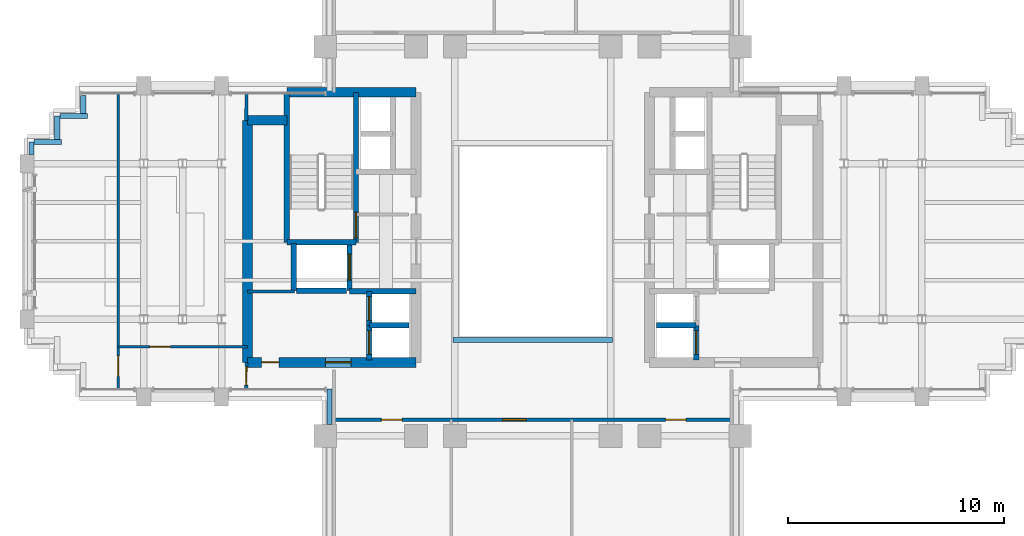
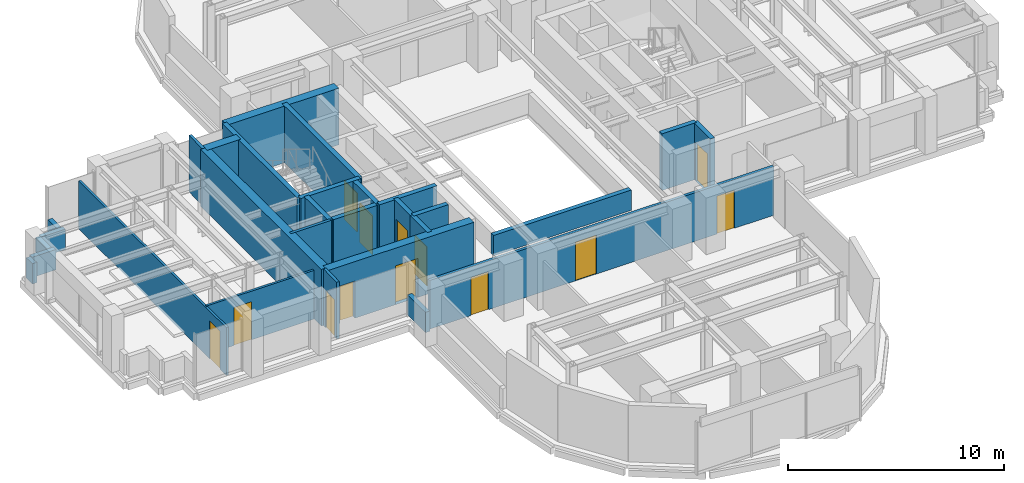
# One storey, part 8 of 13: 29 walls, 13 doors, 13 openings.
"""IFC4 building model written with IfcOpenShell, lengths in metres."""

from ifc_helpers import new_model, si_unit, direction, frame, frame_2d, origin, place, context, subcontext, project, spatial, rectangle, extrude, source, transform, mapped, material, layer, layer_set, type_object, element, fill, save


model = new_model("IFC4")

# Units and contexts
model_context = context("Model", 3, precision=1e-05, world=origin(), true_north=direction((0.0, 1.0)))
body_context = subcontext(model_context, "Body", "Model", "MODEL_VIEW")
ifc_project = project(units=[si_unit("LENGTHUNIT", "METRE"), si_unit("AREAUNIT", "SQUARE_METRE"), si_unit("VOLUMEUNIT", "CUBIC_METRE"), si_unit("PLANEANGLEUNIT", "RADIAN"), si_unit("MASSUNIT", "GRAM", prefix="KILO")], contexts=[model_context])

# Site, building, storey
site_placement = place(None, origin())
site = spatial("IfcSite", under=ifc_project, at=site_placement, CompositionType="ELEMENT")
building_placement = place(site_placement, origin())
building = spatial("IfcBuilding", under=site, at=building_placement, Name="Keilestroom Media Tower", CompositionType="ELEMENT")
storey_placement = place(building_placement, frame((0.0, 0.0, 141.39990234375)))
storey = spatial("IfcBuildingStorey", under=building, at=storey_placement, Name="L38", CompositionType="ELEMENT", Elevation=141.39990234375)

# Wall, opening, door
ifc_material_1 = material(Name="Gypsum Plasterboard & Steel Stud", Category="steel")
ifc_layer_1 = layer(ifc_material_1, 0.1201171875)
ifc_layer_set_1 = layer_set([ifc_layer_1], Name="Gypsum Plasterboard & Steel Stud")
wall_type_1 = type_object("IfcWallType", Name="Interior-Partition-Wall-120", PredefinedType="PARTITIONING", material=ifc_layer_set_1)
wall_1_placement = place(storey_placement, frame((-19.169921875, -4.8798828125, 0.0), z_axis=(0.0, 0.0, 1.0), x_axis=(1.0, 0.0, 0.0)))
wall_1 = element("IfcWall", 1, at=wall_1_placement, inside=storey, type_object=wall_type_1, Name="L38 Interior Wall WP-L38-WA-CN", PredefinedType="PARTITIONING", context=body_context, shape_type="SweptSolid", body=[
    extrude(rectangle(XDim=5.969970703125, YDim=0.1201171875, at=frame_2d((2.98486328125, 0.0))), origin(), (0.0, 0.0, 1.0), 2.75),
])
opening_1_placement = place(wall_1_placement, frame((1.449951171875, 0.0, 0.0)))
opening_1 = element("IfcOpeningElement", 2, at=opening_1_placement, cuts=wall_1, Name="Opening DI-03", PredefinedType="OPENING", context=body_context, shape_type="SweptSolid", body=[
    extrude(rectangle(XDim=0.949951171875, YDim=2.14990234375, at=frame_2d((0.47509765625, 1.074951171875))), frame((0.0, 0.070068359375, 0.0), z_axis=(0.0, -1.0, 0.0), x_axis=(1.0, 0.0, 0.0)), (0.0, 0.0, 1.0), 0.14013671875),
])
ifc_material_2 = material(Name="Lacquered European Oak Leaf", Category="wood")
door_type_1 = type_object("IfcDoorType", Name="Interior-Room-And-Suite-Door-DI-03", OperationType="NOTDEFINED", PredefinedType="DOOR", material=ifc_material_2)
shared_shape_1 = source(origin(), body_context, "Body", "SweptSolid", [
    extrude(rectangle(XDim=0.949951171875, YDim=2.14990234375, at=frame_2d((0.47509765625, 1.074951171875))), frame((0.0, 0.02490234375, 0.0), z_axis=(0.0, -1.0, 0.0), x_axis=(1.0, 0.0, 0.0)), (0.0, 0.0, 1.0), 0.050048828125),
])
door_1_placement = place(opening_1_placement, origin())
door_1 = element("IfcDoor", 3, at=door_1_placement, inside=storey, type_object=door_type_1, Name="L38 Interior Door DI-L38-DWA-RN", OperationType="SINGLE_SWING_RIGHT", OverallHeight=2.14990234375, OverallWidth=0.949951171875, PredefinedType="DOOR", context=body_context, shape_type="MappedRepresentation", body=[
    mapped(shared_shape_1, transform((0.0, 0.0, 0.0), x_axis=(1.0, 0.0, 0.0), y_axis=(0.0, 1.0, 0.0), z_axis=(0.0, 0.0, 1.0), scale=1.0)),
])
fill(opening_1, door_1)

wall_2_placement = place(storey_placement, frame((-19.169921875, -6.85009765625, 0.0), z_axis=(0.0, 0.0, 1.0), x_axis=(0.0, 1.0, 0.0)))
wall_2 = element("IfcWall", 4, at=wall_2_placement, inside=storey, type_object=wall_type_1, Name="L38 Interior Wall WP-L38-WA-CE", PredefinedType="PARTITIONING", context=body_context, shape_type="SweptSolid", body=[
    extrude(rectangle(XDim=13.7001953125, YDim=0.1201171875, at=frame_2d((6.85009765625, 0.0))), origin(), (0.0, 0.0, 1.0), 2.7001953125),
])
opening_2_placement = place(wall_2_placement, frame((0.60009765625, 0.0, 0.0)))
opening_2 = element("IfcOpeningElement", 5, at=opening_2_placement, cuts=wall_2, Name="Opening DI-03", PredefinedType="OPENING", context=body_context, shape_type="SweptSolid", body=[
    extrude(rectangle(XDim=0.949951171875, YDim=2.14990234375, at=frame_2d((0.47509765625, 1.074951171875))), frame((0.0, 0.070068359375, 0.0), z_axis=(0.0, -1.0, 0.0), x_axis=(1.0, 0.0, 0.0)), (0.0, 0.0, 1.0), 0.14013671875),
])
door_2_placement = place(opening_2_placement, origin())
door_2 = element("IfcDoor", 6, at=door_2_placement, inside=storey, type_object=door_type_1, Name="L38 Interior Door DI-L38-DWA-END", OperationType="SINGLE_SWING_LEFT", OverallHeight=2.14990234375, OverallWidth=0.949951171875, PredefinedType="DOOR", context=body_context, shape_type="MappedRepresentation", body=[
    mapped(shared_shape_1, transform((0.0, 0.0, 0.0), x_axis=(1.0, 0.0, 0.0), y_axis=(0.0, 1.0, 0.0), z_axis=(0.0, 0.0, 1.0), scale=1.0)),
])
fill(opening_2, door_2)

# Wall
ifc_layer_2 = layer(ifc_material_1, 0.14990234375)
ifc_layer_set_2 = layer_set([ifc_layer_2], Name="Gypsum Plasterboard & Steel Stud")
wall_type_2 = type_object("IfcWallType", Name="Interior-Partition-Wall-150", PredefinedType="PARTITIONING", material=ifc_layer_set_2)
wall_3_placement = place(storey_placement, frame((-13.199951171875, -2.320068359375, 0.0), z_axis=(0.0, 0.0, 1.0), x_axis=(1.0, 0.0, 0.0)))
element("IfcWall", 7, at=wall_3_placement, inside=storey, type_object=wall_type_2, Name="L38 Interior Wall WP-L38-RECLW-N", PredefinedType="PARTITIONING", context=body_context, shape_type="SweptSolid", body=[
    extrude(rectangle(XDim=2.179931640625, YDim=0.14990234375, at=frame_2d((1.08984375, 0.0))), origin(), (0.0, 0.0, 1.0), 3.2001953125),
])

# Wall, openings, doors
wall_4_placement = place(storey_placement, frame((-9.199951171875, -8.25, 0.0), z_axis=(0.0, 0.0, 1.0), x_axis=(1.0, 0.0, 0.0)))
wall_4 = element("IfcWall", 8, at=wall_4_placement, inside=storey, type_object=wall_type_2, Name="L38 Interior Wall WP-L38-SL-BASE", PredefinedType="PARTITIONING", context=body_context, shape_type="SweptSolid", body=[
    extrude(rectangle(XDim=18.39990234375, YDim=0.14990234375, at=frame_2d((9.199951171875, 0.0))), origin(), (0.0, 0.0, 1.0), 2.75),
])
opening_3_placement = place(wall_4_placement, frame((2.199951171875, 0.0, 0.0)))
opening_3 = element("IfcOpeningElement", 9, at=opening_3_placement, cuts=wall_4, Name="Opening DI-03", PredefinedType="OPENING", context=body_context, shape_type="SweptSolid", body=[
    extrude(rectangle(XDim=0.949951171875, YDim=2.14990234375, at=frame_2d((0.47509765625, 1.074951171875))), frame((0.0, 0.0849609375, 0.0), z_axis=(0.0, -1.0, 0.0), x_axis=(1.0, 0.0, 0.0)), (0.0, 0.0, 1.0), 0.169921875),
])
opening_4_placement = place(wall_4_placement, frame((7.800048828125, 0.0, 0.0)))
opening_4 = element("IfcOpeningElement", 10, at=opening_4_placement, cuts=wall_4, Name="Opening DI-04", PredefinedType="OPENING", context=body_context, shape_type="SweptSolid", body=[
    extrude(rectangle(XDim=1.10009765625, YDim=2.199951171875, at=frame_2d((0.550048828125, 1.10009765625))), frame((0.0, 0.0849609375, 0.0), z_axis=(0.0, -1.0, 0.0), x_axis=(1.0, 0.0, 0.0)), (0.0, 0.0, 1.0), 0.169921875),
])
opening_5_placement = place(wall_4_placement, frame((15.35009765625, 0.0, 0.0)))
opening_5 = element("IfcOpeningElement", 11, at=opening_5_placement, cuts=wall_4, Name="Opening DI-03", PredefinedType="OPENING", context=body_context, shape_type="SweptSolid", body=[
    extrude(rectangle(XDim=0.949951171875, YDim=2.14990234375, at=frame_2d((0.47509765625, 1.074951171875))), frame((0.0, 0.0849609375, 0.0), z_axis=(0.0, -1.0, 0.0), x_axis=(1.0, 0.0, 0.0)), (0.0, 0.0, 1.0), 0.169921875),
])
door_3_placement = place(opening_3_placement, origin())
door_3 = element("IfcDoor", 12, at=door_3_placement, inside=storey, type_object=door_type_1, Name="L38 Interior Door DI-L38-DSL-1", OperationType="SINGLE_SWING_LEFT", OverallHeight=2.14990234375, OverallWidth=0.949951171875, PredefinedType="DOOR", context=body_context, shape_type="MappedRepresentation", body=[
    mapped(shared_shape_1, transform((0.0, 0.0, 0.0), x_axis=(1.0, 0.0, 0.0), y_axis=(0.0, 1.0, 0.0), z_axis=(0.0, 0.0, 1.0), scale=1.0)),
])
fill(opening_3, door_3)
door_4_placement = place(opening_5_placement, origin())
door_4 = element("IfcDoor", 13, at=door_4_placement, inside=storey, type_object=door_type_1, Name="L38 Interior Door DI-L38-DSL-3", OperationType="SINGLE_SWING_LEFT", OverallHeight=2.14990234375, OverallWidth=0.949951171875, PredefinedType="DOOR", context=body_context, shape_type="MappedRepresentation", body=[
    mapped(shared_shape_1, transform((0.0, 0.0, 0.0), x_axis=(1.0, 0.0, 0.0), y_axis=(0.0, 1.0, 0.0), z_axis=(0.0, 0.0, 1.0), scale=1.0)),
])
fill(opening_5, door_4)
ifc_material_3 = material(Name="Acoustic Glazed Aluminium Leaf", Category="aluminium")
door_type_2 = type_object("IfcDoorType", Name="Interior-Room-And-Suite-Door-DI-04", OperationType="NOTDEFINED", PredefinedType="DOOR", material=ifc_material_3)
shared_shape_2 = source(origin(), body_context, "Body", "SweptSolid", [
    extrude(rectangle(XDim=1.10009765625, YDim=2.199951171875, at=frame_2d((0.550048828125, 1.10009765625))), frame((0.0, 0.02490234375, 0.0), z_axis=(0.0, -1.0, 0.0), x_axis=(1.0, 0.0, 0.0)), (0.0, 0.0, 1.0), 0.050048828125),
])
door_5_placement = place(opening_4_placement, origin())
door_5 = element("IfcDoor", 14, at=door_5_placement, inside=storey, type_object=door_type_2, Name="L38 Interior Door DI-L38-DSL-2", OperationType="SINGLE_SWING_RIGHT", OverallHeight=2.199951171875, OverallWidth=1.10009765625, PredefinedType="DOOR", context=body_context, shape_type="MappedRepresentation", body=[
    mapped(shared_shape_2, transform((0.0, 0.0, 0.0), x_axis=(1.0, 0.0, 0.0), y_axis=(0.0, 1.0, 0.0), z_axis=(0.0, 0.0, 1.0), scale=1.0)),
])
fill(opening_4, door_5)

# Wall
wall_5_placement = place(storey_placement, frame((-13.260009765625, 5.60009765625, 0.0), z_axis=(0.0, 0.0, 1.0), x_axis=(0.016013571389, 0.999871774545, 0.0)))
element("IfcWall", 15, at=wall_5_placement, inside=storey, type_object=wall_type_2, Name="L38 Interior Wall WP-L38-WA-ENTN", PredefinedType="PARTITIONING", context=body_context, shape_type="SweptSolid", body=[
    extrude(rectangle(XDim=1.250244140625, YDim=0.14990234375, at=frame_2d((0.625, 0.0))), origin(), (0.0, 0.0, 1.0), 3.2001953125),
])

# Wall, opening, door
wall_6_placement = place(storey_placement, frame((-13.260009765625, -6.85009765625, 0.0), z_axis=(0.0, 0.0, 1.0), x_axis=(0.016013571389, 0.999871774545, 0.0)))
wall_6 = element("IfcWall", 16, at=wall_6_placement, inside=storey, type_object=wall_type_2, Name="L38 Interior Wall WP-L38-WA-ENTS", PredefinedType="PARTITIONING", context=body_context, shape_type="SweptSolid", body=[
    extrude(rectangle(XDim=1.250244140625, YDim=0.14990234375, at=frame_2d((0.625, 0.0))), origin(), (0.0, 0.0, 1.0), 3.2001953125),
])
opening_6_placement = place(wall_6_placement, frame((0.199951171875, 0.0, 0.0)))
opening_6 = element("IfcOpeningElement", 17, at=opening_6_placement, cuts=wall_6, Name="Opening DI-05", PredefinedType="OPENING", context=body_context, shape_type="SweptSolid", body=[
    extrude(rectangle(XDim=0.85009765625, YDim=2.10009765625, at=frame_2d((0.425048828125, 1.050048828125))), frame((0.0, 0.0849609375, 0.0), z_axis=(0.0, -1.0, 0.0), x_axis=(1.0, 0.0, 0.0)), (0.0, 0.0, 1.0), 0.169921875),
])
ifc_material_4 = material(Name="Moisture-Resistant Oak Leaf", Category="wood")
door_type_3 = type_object("IfcDoorType", Name="Interior-En-Suite-And-Cupboard-Door-DI-05", OperationType="NOTDEFINED", PredefinedType="DOOR", material=ifc_material_4)
shared_shape_3 = source(origin(), body_context, "Body", "SweptSolid", [
    extrude(rectangle(XDim=0.85009765625, YDim=2.10009765625, at=frame_2d((0.425048828125, 1.050048828125))), frame((0.0, 0.02490234375, 0.0), z_axis=(0.0, -1.0, 0.0), x_axis=(1.0, 0.0, 0.0)), (0.0, 0.0, 1.0), 0.050048828125),
])
door_6_placement = place(opening_6_placement, origin())
door_6 = element("IfcDoor", 18, at=door_6_placement, inside=storey, type_object=door_type_3, Name="L38 Interior Door DI-L38-DWA-ENTS", OperationType="SINGLE_SWING_RIGHT", OverallHeight=2.10009765625, OverallWidth=0.85009765625, PredefinedType="DOOR", context=body_context, shape_type="MappedRepresentation", body=[
    mapped(shared_shape_3, transform((0.0, 0.0, 0.0), x_axis=(1.0, 0.0, 0.0), y_axis=(0.0, 1.0, 0.0), z_axis=(0.0, 0.0, 1.0), scale=1.0)),
])
fill(opening_6, door_6)

# Walls
ifc_material_5 = material(Name="Concrete C55/67", Category="concrete")
ifc_layer_3 = layer(ifc_material_5, 0.449951171875)
ifc_layer_set_3 = layer_set([ifc_layer_3], Name="Concrete C55/67")
wall_type_3 = type_object("IfcWallType", Name="Reinforced-Concrete-Core-Shear-Wall-450", PredefinedType="SHEAR", material=ifc_layer_set_3)
wall_7_placement = place(storey_placement, frame((-13.199951171875, -5.60009765625, 0.0), z_axis=(0.0, 0.0, 1.0), x_axis=(0.0, 1.0, 0.0)))
element("IfcWall", 19, at=wall_7_placement, inside=storey, type_object=wall_type_3, Name="L38 Core Shear Wall WL-L38-CORE-W-OUT", PredefinedType="SHEAR", context=body_context, shape_type="SweptSolid", body=[
    extrude(rectangle(XDim=11.2001953125, YDim=0.449951171875, at=frame_2d((5.60009765625, 0.0))), origin(), (0.0, 0.0, 1.0), 3.2001953125),
])
wall_8_placement = place(storey_placement, frame((-11.381103515625, 6.89990234375, 0.0), z_axis=(0.0, 0.0, 1.0), x_axis=(1.0, 0.0, 0.0)))
element("IfcWall", 20, at=wall_8_placement, inside=storey, type_object=wall_type_3, Name="L38 Core Shear Wall WL-L38-CORE-W-N", PredefinedType="SHEAR", context=body_context, shape_type="SweptSolid", body=[
    extrude(rectangle(XDim=5.981201171875, YDim=0.449951171875, at=frame_2d((2.99072265625, 0.0))), origin(), (0.0, 0.0, 1.0), 3.2001953125),
])
wall_9_placement = place(storey_placement, frame((-13.199951171875, 5.60009765625, 0.0), z_axis=(0.0, 0.0, 1.0), x_axis=(1.0, 0.0, 0.0)))
element("IfcWall", 21, at=wall_9_placement, inside=storey, type_object=wall_type_3, Name="L38 Core Shear Wall WL-L38-CNW-N", PredefinedType="SHEAR", context=body_context, shape_type="SweptSolid", body=[
    extrude(rectangle(XDim=1.81884765625, YDim=0.449951171875, at=frame_2d((0.909423828125, 0.0))), origin(), (0.0, 0.0, 1.0), 3.2001953125),
])

# Wall, openings, doors
wall_10_placement = place(storey_placement, frame((-13.199951171875, -5.60009765625, 0.0), z_axis=(0.0, 0.0, 1.0), x_axis=(1.0, 0.0, 0.0)))
wall_10 = element("IfcWall", 22, at=wall_10_placement, inside=storey, type_object=wall_type_3, Name="L38 Core Shear Wall WL-L38-CORE-W-S", PredefinedType="SHEAR", context=body_context, shape_type="SweptSolid", body=[
    extrude(rectangle(XDim=7.800048828125, YDim=0.449951171875, at=frame_2d((3.89990234375, 0.0))), origin(), (0.0, 0.0, 1.0), 3.2001953125),
])
opening_7_placement = place(wall_10_placement, frame((3.60009765625, 0.0, 0.0)))
opening_7 = element("IfcOpeningElement", 23, at=opening_7_placement, cuts=wall_10, Name="Opening DI-02", PredefinedType="OPENING", context=body_context, shape_type="SweptSolid", body=[
    extrude(rectangle(XDim=1.199951171875, YDim=2.199951171875, at=frame_2d((0.60009765625, 1.10009765625))), frame((0.0, 0.23486328125, 0.0), z_axis=(0.0, -1.0, 0.0), x_axis=(1.0, 0.0, 0.0)), (0.0, 0.0, 1.0), 0.469970703125),
])
opening_8_placement = place(wall_10_placement, frame((0.64990234375, 0.0, 0.0)))
opening_8 = element("IfcOpeningElement", 24, at=opening_8_placement, cuts=wall_10, Name="Opening DI-06", PredefinedType="OPENING", context=body_context, shape_type="SweptSolid", body=[
    extrude(rectangle(XDim=0.800048828125, YDim=2.10009765625, at=frame_2d((0.39990234375, 1.050048828125))), frame((0.0, 0.23486328125, 0.0), z_axis=(0.0, -1.0, 0.0), x_axis=(1.0, 0.0, 0.0)), (0.0, 0.0, 1.0), 0.469970703125),
])
ifc_material_6 = material(Name="Powder-Coated Steel Fire Leaf", Category="steel")
door_type_4 = type_object("IfcDoorType", Name="Interior-Compartment-Fire-Door-DI-02", OperationType="NOTDEFINED", PredefinedType="DOOR", material=ifc_material_6)
shared_shape_4 = source(origin(), body_context, "Body", "SweptSolid", [
    extrude(rectangle(XDim=1.199951171875, YDim=2.199951171875, at=frame_2d((0.60009765625, 1.10009765625))), frame((0.0, 0.02490234375, 0.0), z_axis=(0.0, -1.0, 0.0), x_axis=(1.0, 0.0, 0.0)), (0.0, 0.0, 1.0), 0.050048828125),
])
door_7_placement = place(opening_7_placement, origin())
door_7 = element("IfcDoor", 25, at=door_7_placement, inside=storey, type_object=door_type_4, Name="L38 W Passenger Lift Lobby Door", OperationType="SINGLE_SWING_LEFT", OverallHeight=2.199951171875, OverallWidth=1.199951171875, PredefinedType="DOOR", context=body_context, shape_type="MappedRepresentation", body=[
    mapped(shared_shape_4, transform((0.0, 0.0, 0.0), x_axis=(1.0, 0.0, 0.0), y_axis=(0.0, 1.0, 0.0), z_axis=(0.0, 0.0, 1.0), scale=1.0)),
])
fill(opening_7, door_7)
ifc_material_7 = material(Name="Powder-Coated Steel Service Leaf", Category="steel")
door_type_5 = type_object("IfcDoorType", Name="Interior-Riser-Access-Door-DI-06", OperationType="NOTDEFINED", PredefinedType="DOOR", material=ifc_material_7)
shared_shape_5 = source(origin(), body_context, "Body", "SweptSolid", [
    extrude(rectangle(XDim=0.800048828125, YDim=2.10009765625, at=frame_2d((0.39990234375, 1.050048828125))), frame((0.0, 0.02490234375, 0.0), z_axis=(0.0, -1.0, 0.0), x_axis=(1.0, 0.0, 0.0)), (0.0, 0.0, 1.0), 0.050048828125),
])
door_8_placement = place(opening_8_placement, origin())
door_8 = element("IfcDoor", 26, at=door_8_placement, inside=storey, type_object=door_type_5, Name="L38 Reclaimed West Core Room Door", OperationType="SINGLE_SWING_LEFT", OverallHeight=2.10009765625, OverallWidth=0.800048828125, PredefinedType="DOOR", context=body_context, shape_type="MappedRepresentation", body=[
    mapped(shared_shape_5, transform((0.0, 0.0, 0.0), x_axis=(1.0, 0.0, 0.0), y_axis=(0.0, 1.0, 0.0), z_axis=(0.0, 0.0, 1.0), scale=1.0)),
])
fill(opening_8, door_8)

# Wall
ifc_material_8 = material(Name="Concrete C50/60", Category="concrete")
ifc_layer_4 = layer(ifc_material_8, 0.25)
ifc_layer_set_4 = layer_set([ifc_layer_4], Name="Concrete C50/60")
wall_type_4 = type_object("IfcWallType", Name="Reinforced-Concrete-Shaft-Wall-250", PredefinedType="SOLIDWALL", material=ifc_layer_set_4)
wall_11_placement = place(storey_placement, frame((-8.47998046875, -2.300048828125, 0.0), z_axis=(0.0, 0.0, 1.0), x_axis=(1.0, 0.0, 0.0)))
element("IfcWall", 27, at=wall_11_placement, inside=storey, type_object=wall_type_4, Name="L38 Core Shear Wall WL-L38-CORE-W-FFS", PredefinedType="SOLIDWALL", context=body_context, shape_type="SweptSolid", body=[
    extrude(rectangle(XDim=3.080078125, YDim=0.25, at=frame_2d((1.5400390625, 0.0))), origin(), (0.0, 0.0, 1.0), 3.2001953125),
])

# Wall, opening, door
wall_12_placement = place(storey_placement, frame((-8.178955078125, -0.041015625, 0.0), z_axis=(0.0, 0.0, 1.0), x_axis=(0.0, 1.0, 0.0)))
wall_12 = element("IfcWall", 28, at=wall_12_placement, inside=storey, type_object=wall_type_4, Name="L38 Core Shear Wall WL-L38-STW-W-NEAR", PredefinedType="SOLIDWALL", context=body_context, shape_type="SweptSolid", body=[
    extrude(rectangle(XDim=6.94091796875, YDim=0.25, at=frame_2d((3.470458984375, 0.0))), origin(), (0.0, 0.0, 1.0), 3.2001953125),
])
opening_9_placement = place(wall_12_placement, frame((0.199951171875, 0.0, 0.0)))
opening_9 = element("IfcOpeningElement", 29, at=opening_9_placement, cuts=wall_12, Name="Opening DI-01S", PredefinedType="OPENING", context=body_context, shape_type="SweptSolid", body=[
    extrude(rectangle(XDim=1.199951171875, YDim=2.199951171875, at=frame_2d((0.60009765625, 1.10009765625))), frame((0.0, 0.135009765625, 0.0), z_axis=(0.0, -1.0, 0.0), x_axis=(1.0, 0.0, 0.0)), (0.0, 0.0, 1.0), 0.27001953125),
])
door_type_6 = type_object("IfcDoorType", Name="Interior-Stair-And-Core-Fire-Door-DI-01", OperationType="NOTDEFINED", PredefinedType="DOOR", material=ifc_material_6)
door_9_placement = place(opening_9_placement, origin())
door_9 = element("IfcDoor", 30, at=door_9_placement, inside=storey, type_object=door_type_6, Name="L38 Escape Stair ST-1 Fire Door", OperationType="SINGLE_SWING_LEFT", OverallHeight=2.199951171875, OverallWidth=1.199951171875, PredefinedType="DOOR", context=body_context, shape_type="MappedRepresentation", body=[
    mapped(shared_shape_4, transform((0.0, 0.0, 0.0), x_axis=(1.0, 0.0, 0.0), y_axis=(0.0, 1.0, 0.0), z_axis=(0.0, 0.0, 1.0), scale=1.0)),
])
fill(opening_9, door_9)

# Walls
wall_13_placement = place(storey_placement, frame((-11.381103515625, -0.041015625, 0.0), z_axis=(0.0, 0.0, 1.0), x_axis=(0.0, 1.0, 0.0)))
element("IfcWall", 31, at=wall_13_placement, inside=storey, type_object=wall_type_4, Name="L38 Core Shear Wall WL-L38-STW-W-FAR", PredefinedType="SOLIDWALL", context=body_context, shape_type="SweptSolid", body=[
    extrude(rectangle(XDim=6.94091796875, YDim=0.25, at=frame_2d((3.470458984375, 0.0))), origin(), (0.0, 0.0, 1.0), 3.2001953125),
])
wall_14_placement = place(storey_placement, frame((-11.381103515625, -0.041015625, 0.0), z_axis=(0.0, 0.0, 1.0), x_axis=(1.0, 0.0, 0.0)))
element("IfcWall", 32, at=wall_14_placement, inside=storey, type_object=wall_type_4, Name="L38 Core Shear Wall WL-L38-STW-W-S", PredefinedType="SOLIDWALL", context=body_context, shape_type="SweptSolid", body=[
    extrude(rectangle(XDim=3.2021484375, YDim=0.25, at=frame_2d((1.60107421875, 0.0))), origin(), (0.0, 0.0, 1.0), 3.2001953125),
])
wall_15_placement = place(storey_placement, frame((-11.050048828125, -2.280029296875, 0.0), z_axis=(0.0, 0.0, 1.0), x_axis=(0.0, 1.0, 0.0)))
element("IfcWall", 33, at=wall_15_placement, inside=storey, type_object=wall_type_4, Name="L38 Core Shear Wall WL-L38-LSH-FFL-1-W", PredefinedType="SOLIDWALL", context=body_context, shape_type="SweptSolid", body=[
    extrude(rectangle(XDim=2.179931640625, YDim=0.25, at=frame_2d((1.08984375, 0.0))), origin(), (0.0, 0.0, 1.0), 3.2001953125),
])

# Wall, opening, door
wall_16_placement = place(storey_placement, frame((-8.47998046875, -2.280029296875, 0.0), z_axis=(0.0, 0.0, 1.0), x_axis=(0.0, 1.0, 0.0)))
wall_16 = element("IfcWall", 34, at=wall_16_placement, inside=storey, type_object=wall_type_4, Name="L38 Core Shear Wall WL-L38-LSH-FFL-1-E", PredefinedType="SOLIDWALL", context=body_context, shape_type="SweptSolid", body=[
    extrude(rectangle(XDim=2.179931640625, YDim=0.25, at=frame_2d((1.08984375, 0.0))), origin(), (0.0, 0.0, 1.0), 3.2001953125),
])
opening_10_placement = place(wall_16_placement, frame((0.489990234375, 0.0, 0.0)))
opening_10 = element("IfcOpeningElement", 35, at=opening_10_placement, cuts=wall_16, Name="Opening LD-02", PredefinedType="OPENING", context=body_context, shape_type="SweptSolid", body=[
    extrude(rectangle(XDim=1.199951171875, YDim=2.199951171875, at=frame_2d((0.60009765625, 1.10009765625))), frame((0.0, 0.135009765625, 0.0), z_axis=(0.0, -1.0, 0.0), x_axis=(1.0, 0.0, 0.0)), (0.0, 0.0, 1.0), 0.27001953125),
])
ifc_material_9 = material(Name="Brushed Stainless Steel Sliding Leaf", Category="steel")
door_type_7 = type_object("IfcDoorType", Name="Lift-Landing-Sliding-Door-LD-02", OperationType="SLIDING_TO_RIGHT", PredefinedType="DOOR", material=ifc_material_9)
door_10_placement = place(opening_10_placement, origin())
door_10 = element("IfcDoor", 36, at=door_10_placement, inside=storey, type_object=door_type_7, Name="L38 Lift FFL-1 Landing Sliding Door", OperationType="SLIDING_TO_RIGHT", OverallHeight=2.199951171875, OverallWidth=1.199951171875, PredefinedType="DOOR", context=body_context, shape_type="MappedRepresentation", body=[
    mapped(shared_shape_4, transform((0.0, 0.0, 0.0), x_axis=(1.0, 0.0, 0.0), y_axis=(0.0, 1.0, 0.0), z_axis=(0.0, 0.0, 1.0), scale=1.0)),
])
fill(opening_10, door_10)

# Wall
wall_17_placement = place(storey_placement, frame((-10.9208984375, -2.280029296875, 0.0), z_axis=(0.0, 0.0, 1.0), x_axis=(1.0, 0.0, 0.0)))
element("IfcWall", 37, at=wall_17_placement, inside=storey, type_object=wall_type_4, Name="L38 Core Shear Wall WL-L38-LSH-FFL-1-S", PredefinedType="SOLIDWALL", context=body_context, shape_type="SweptSolid", body=[
    extrude(rectangle(XDim=2.31201171875, YDim=0.25, at=frame_2d((1.156005859375, 0.0))), origin(), (0.0, 0.0, 1.0), 3.2001953125),
])

# Wall, opening, door
wall_18_placement = place(storey_placement, frame((-7.56005859375, -5.47998046875, 0.0), z_axis=(0.0, 0.0, 1.0), x_axis=(0.0, 1.0, 0.0)))
wall_18 = element("IfcWall", 38, at=wall_18_placement, inside=storey, type_object=wall_type_4, Name="L38 Core Shear Wall WL-L38-LSH-PL-M1-W", PredefinedType="SOLIDWALL", context=body_context, shape_type="SweptSolid", body=[
    extrude(rectangle(XDim=1.60009765625, YDim=0.25, at=frame_2d((0.800048828125, 0.0))), origin(), (0.0, 0.0, 1.0), 3.2001953125),
])
opening_11_placement = place(wall_18_placement, frame((0.25, 0.0, 0.0)))
opening_11 = element("IfcOpeningElement", 39, at=opening_11_placement, cuts=wall_18, Name="Opening LD-01", PredefinedType="OPENING", context=body_context, shape_type="SweptSolid", body=[
    extrude(rectangle(XDim=1.10009765625, YDim=2.199951171875, at=frame_2d((0.550048828125, 1.10009765625))), frame((0.0, 0.135009765625, 0.0), z_axis=(0.0, -1.0, 0.0), x_axis=(1.0, 0.0, 0.0)), (0.0, 0.0, 1.0), 0.27001953125),
])
door_type_8 = type_object("IfcDoorType", Name="Lift-Landing-Sliding-Door-LD-01", OperationType="SLIDING_TO_LEFT", PredefinedType="DOOR", material=ifc_material_9)
door_11_placement = place(opening_11_placement, origin())
door_11 = element("IfcDoor", 40, at=door_11_placement, inside=storey, type_object=door_type_8, Name="L38 Lift PL-M1 Landing Sliding Door", OperationType="SLIDING_TO_LEFT", OverallHeight=2.199951171875, OverallWidth=1.10009765625, PredefinedType="DOOR", context=body_context, shape_type="MappedRepresentation", body=[
    mapped(shared_shape_2, transform((0.0, 0.0, 0.0), x_axis=(1.0, 0.0, 0.0), y_axis=(0.0, 1.0, 0.0), z_axis=(0.0, 0.0, 1.0), scale=1.0)),
])
fill(opening_11, door_11)

# Wall
wall_19_placement = place(storey_placement, frame((-7.56005859375, -3.8798828125, 0.0), z_axis=(0.0, 0.0, 1.0), x_axis=(1.0, 0.0, 0.0)))
element("IfcWall", 41, at=wall_19_placement, inside=storey, type_object=wall_type_4, Name="L38 Core Shear Wall WL-L38-LSH-PL-M1-N", PredefinedType="SOLIDWALL", context=body_context, shape_type="SweptSolid", body=[
    extrude(rectangle(XDim=1.840087890625, YDim=0.25, at=frame_2d((0.919921875, 0.0))), origin(), (0.0, 0.0, 1.0), 3.2001953125),
])

# Wall, opening, door
wall_20_placement = place(storey_placement, frame((-7.56005859375, -3.8798828125, 0.0), z_axis=(0.0, 0.0, 1.0), x_axis=(0.0, 1.0, 0.0)))
wall_20 = element("IfcWall", 42, at=wall_20_placement, inside=storey, type_object=wall_type_4, Name="L38 Core Shear Wall WL-L38-LSH-PL-M2-W", PredefinedType="SOLIDWALL", context=body_context, shape_type="SweptSolid", body=[
    extrude(rectangle(XDim=1.559814453125, YDim=0.25, at=frame_2d((0.77978515625, 0.0))), origin(), (0.0, 0.0, 1.0), 3.2001953125),
])
opening_12_placement = place(wall_20_placement, frame((0.22998046875, 0.0, 0.0)))
opening_12 = element("IfcOpeningElement", 43, at=opening_12_placement, cuts=wall_20, Name="Opening LD-01", PredefinedType="OPENING", context=body_context, shape_type="SweptSolid", body=[
    extrude(rectangle(XDim=1.10009765625, YDim=2.199951171875, at=frame_2d((0.550048828125, 1.10009765625))), frame((0.0, 0.135009765625, 0.0), z_axis=(0.0, -1.0, 0.0), x_axis=(1.0, 0.0, 0.0)), (0.0, 0.0, 1.0), 0.27001953125),
])
door_12_placement = place(opening_12_placement, origin())
door_12 = element("IfcDoor", 44, at=door_12_placement, inside=storey, type_object=door_type_8, Name="L38 Lift PL-M2 Landing Sliding Door", OperationType="SLIDING_TO_LEFT", OverallHeight=2.199951171875, OverallWidth=1.10009765625, PredefinedType="DOOR", context=body_context, shape_type="MappedRepresentation", body=[
    mapped(shared_shape_2, transform((0.0, 0.0, 0.0), x_axis=(1.0, 0.0, 0.0), y_axis=(0.0, 1.0, 0.0), z_axis=(0.0, 0.0, 1.0), scale=1.0)),
])
fill(opening_12, door_12)

wall_21_placement = place(storey_placement, frame((7.56005859375, -5.47998046875, 0.0), z_axis=(0.0, 0.0, 1.0), x_axis=(0.0, 1.0, 0.0)))
wall_21 = element("IfcWall", 45, at=wall_21_placement, inside=storey, type_object=wall_type_4, Name="L38 Core Shear Wall WL-L38-LSH-PL-M3-E", PredefinedType="SOLIDWALL", context=body_context, shape_type="SweptSolid", body=[
    extrude(rectangle(XDim=1.60009765625, YDim=0.25, at=frame_2d((0.800048828125, 0.0))), origin(), (0.0, 0.0, 1.0), 3.2001953125),
])
opening_13_placement = place(wall_21_placement, frame((0.25, 0.0, 0.0)))
opening_13 = element("IfcOpeningElement", 46, at=opening_13_placement, cuts=wall_21, Name="Opening LD-01", PredefinedType="OPENING", context=body_context, shape_type="SweptSolid", body=[
    extrude(rectangle(XDim=1.10009765625, YDim=2.199951171875, at=frame_2d((0.550048828125, 1.10009765625))), frame((0.0, 0.135009765625, 0.0), z_axis=(0.0, -1.0, 0.0), x_axis=(1.0, 0.0, 0.0)), (0.0, 0.0, 1.0), 0.27001953125),
])
door_13_placement = place(opening_13_placement, origin())
door_13 = element("IfcDoor", 47, at=door_13_placement, inside=storey, type_object=door_type_8, Name="L38 Lift PL-M3 Landing Sliding Door", OperationType="SLIDING_TO_LEFT", OverallHeight=2.199951171875, OverallWidth=1.10009765625, PredefinedType="DOOR", context=body_context, shape_type="MappedRepresentation", body=[
    mapped(shared_shape_2, transform((0.0, 0.0, 0.0), x_axis=(1.0, 0.0, 0.0), y_axis=(0.0, 1.0, 0.0), z_axis=(0.0, 0.0, 1.0), scale=1.0)),
])
fill(opening_13, door_13)

# Walls
wall_22_placement = place(storey_placement, frame((5.719970703125, -3.8798828125, 0.0), z_axis=(0.0, 0.0, 1.0), x_axis=(1.0, 0.0, 0.0)))
element("IfcWall", 48, at=wall_22_placement, inside=storey, type_object=wall_type_4, Name="L38 Core Shear Wall WL-L38-LSH-PL-M3-N", PredefinedType="SOLIDWALL", context=body_context, shape_type="SweptSolid", body=[
    extrude(rectangle(XDim=1.840087890625, YDim=0.25, at=frame_2d((0.919921875, 0.0))), origin(), (0.0, 0.0, 1.0), 3.2001953125),
])
ifc_material_10 = material(Name="Precast concrete C40/50", Category="concrete")
ifc_layer_5 = layer(ifc_material_10, 0.239990234375)
ifc_layer_set_5 = layer_set([ifc_layer_5], Name="Precast concrete C40/50")
wall_type_5 = type_object("IfcWallType", Name="Roof-And-Terrace-Parapet-Wall-240", PredefinedType="PARAPET", material=ifc_layer_set_5)
wall_23_placement = place(storey_placement, frame((-9.39990234375, -8.471923828125, 0.0), z_axis=(0.0, 0.0, 1.0), x_axis=(0.0, 1.0, 0.0)))
element("IfcWall", 49, at=wall_23_placement, inside=storey, type_object=wall_type_5, Name="L38 Perimeter Edge Parapet Wall 10", PredefinedType="PARAPET", context=body_context, shape_type="SweptSolid", body=[
    extrude(rectangle(XDim=1.653076171875, YDim=0.239990234375, at=frame_2d((0.82666015625, 0.0))), origin(), (0.0, 0.0, 1.0), 1.150146484375),
])
wall_24_placement = place(storey_placement, frame((-23.199951171875, 4.028076171875, 0.0), z_axis=(0.0, 0.0, 1.0), x_axis=(0.0, 1.0, 0.0)))
element("IfcWall", 50, at=wall_24_placement, inside=storey, type_object=wall_type_5, Name="L38 Perimeter Edge Parapet Wall 16", PredefinedType="PARAPET", context=body_context, shape_type="SweptSolid", body=[
    extrude(rectangle(XDim=0.572021484375, YDim=0.239990234375, at=frame_2d((0.2861328125, 0.0))), origin(), (0.0, 0.0, 1.0), 1.150146484375),
])
wall_25_placement = place(storey_placement, frame((-23.076904296875, 4.60009765625, 0.0), z_axis=(0.0, 0.0, 1.0), x_axis=(1.0, 0.0, 0.0)))
element("IfcWall", 51, at=wall_25_placement, inside=storey, type_object=wall_type_5, Name="L38 Perimeter Edge Parapet Wall 17", PredefinedType="PARAPET", context=body_context, shape_type="SweptSolid", body=[
    extrude(rectangle(XDim=1.27685546875, YDim=0.239990234375, at=frame_2d((0.638427734375, 0.0))), origin(), (0.0, 0.0, 1.0), 1.150146484375),
])
wall_26_placement = place(storey_placement, frame((-22.0, 4.722900390625, 0.0), z_axis=(0.0, 0.0, 1.0), x_axis=(0.0, 1.0, 0.0)))
element("IfcWall", 52, at=wall_26_placement, inside=storey, type_object=wall_type_5, Name="L38 Perimeter Edge Parapet Wall 18", PredefinedType="PARAPET", context=body_context, shape_type="SweptSolid", body=[
    extrude(rectangle(XDim=1.0771484375, YDim=0.239990234375, at=frame_2d((0.53857421875, 0.0))), origin(), (0.0, 0.0, 1.0), 1.150146484375),
])
wall_27_placement = place(storey_placement, frame((-21.876953125, 5.800048828125, 0.0), z_axis=(0.0, 0.0, 1.0), x_axis=(1.0, 0.0, 0.0)))
element("IfcWall", 53, at=wall_27_placement, inside=storey, type_object=wall_type_5, Name="L38 Perimeter Edge Parapet Wall 19", PredefinedType="PARAPET", context=body_context, shape_type="SweptSolid", body=[
    extrude(rectangle(XDim=1.27685546875, YDim=0.239990234375, at=frame_2d((0.638427734375, 0.0))), origin(), (0.0, 0.0, 1.0), 1.150146484375),
])
wall_28_placement = place(storey_placement, frame((-20.800048828125, 5.923095703125, 0.0), z_axis=(0.0, 0.0, 1.0), x_axis=(0.0, 1.0, 0.0)))
element("IfcWall", 54, at=wall_28_placement, inside=storey, type_object=wall_type_5, Name="L38 Perimeter Edge Parapet Wall 20", PredefinedType="PARAPET", context=body_context, shape_type="SweptSolid", body=[
    extrude(rectangle(XDim=0.833984375, YDim=0.239990234375, at=frame_2d((0.4169921875, 0.0))), origin(), (0.0, 0.0, 1.0), 1.150146484375),
])
wall_29_placement = place(storey_placement, frame((-3.679931640625, -4.56005859375, 0.0), z_axis=(0.0, 0.0, 1.0), x_axis=(1.0, 0.0, 0.0)))
element("IfcWall", 55, at=wall_29_placement, inside=storey, type_object=wall_type_5, Name="L38 Central Atrium Guard Parapet S", PredefinedType="PARAPET", context=body_context, shape_type="SweptSolid", body=[
    extrude(rectangle(XDim=7.35986328125, YDim=0.239990234375, at=frame_2d((3.679931640625, 0.0))), origin(), (0.0, 0.0, 1.0), 1.150146484375),
])

save(model, "model.ifc")
